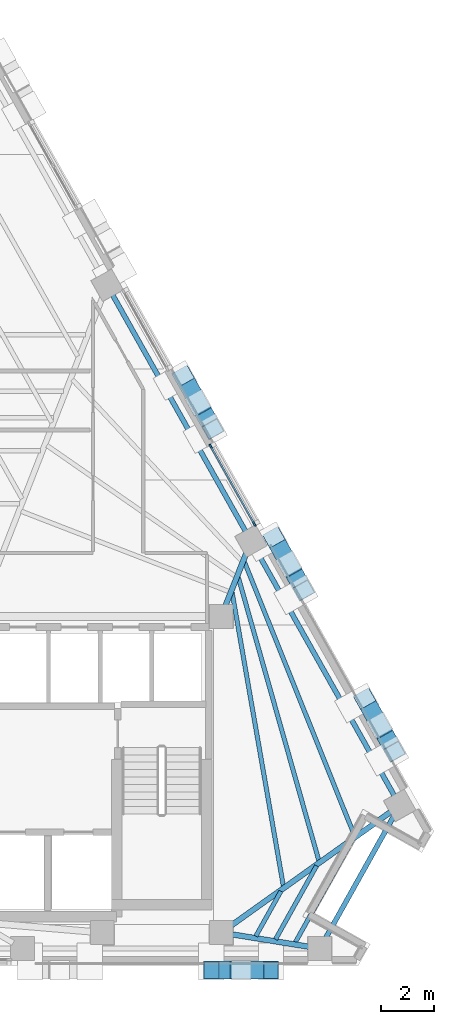
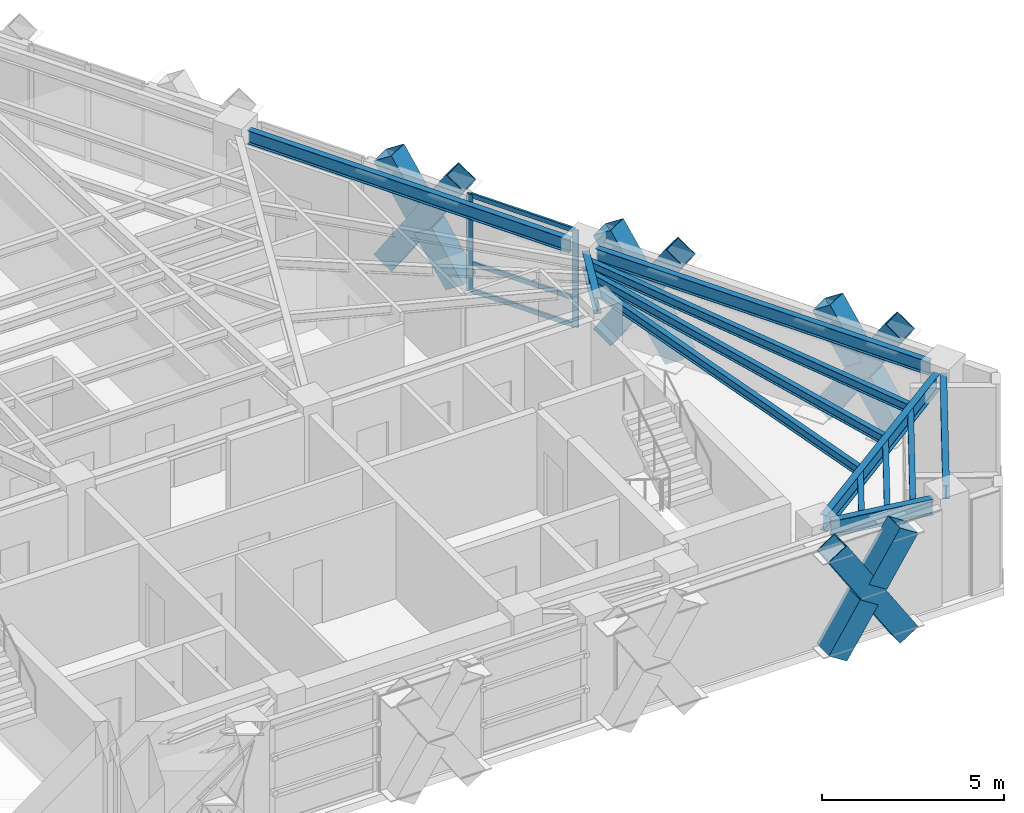
# One storey, part 5 of 12: 17 members, 12 beams, 1 element without a shape of its own.
"""IFC4 building model written with IfcOpenShell, lengths in metres."""

from ifc_helpers import new_model, si_unit, direction, frame, origin, origin_2d, place, context, subcontext, project, spatial, rectangle, hollow_rectangle, i_section, extrude, material, material_profile, profile_set, type_object, element, aggregate, save


model = new_model("IFC4")

# Units and contexts
model_context = context("Model", 3, precision=1e-05, world=origin(), true_north=direction((0.0, 1.0)))
body_context = subcontext(model_context, "Body", "Model", "MODEL_VIEW")
ifc_project = project(units=[si_unit("LENGTHUNIT", "METRE"), si_unit("AREAUNIT", "SQUARE_METRE"), si_unit("VOLUMEUNIT", "CUBIC_METRE"), si_unit("PLANEANGLEUNIT", "RADIAN"), si_unit("MASSUNIT", "GRAM", prefix="KILO")], contexts=[model_context])

# Site, building, storey
site_placement = place(None, origin())
site = spatial("IfcSite", under=ifc_project, at=site_placement, CompositionType="ELEMENT")
building_placement = place(site_placement, origin())
building = spatial("IfcBuilding", under=site, at=building_placement, Name="Quenlor Broadcast Tower", CompositionType="ELEMENT")
storey_placement = place(building_placement, frame((0.0, 0.0, 193.89990234375)))
storey = spatial("IfcBuildingStorey", under=building, at=storey_placement, Name="L53", CompositionType="ELEMENT", Elevation=193.89990234375)

# Curtain wall, members
ifc_material_1 = material(Name="Architectural Terracotta and Low-E Glazing", Category="masonry")
curtain_wall_type = type_object("IfcCurtainWallType", Name="Unitised Terracotta Curtain Wall System Z4", PredefinedType="NOTDEFINED", material=ifc_material_1)
curtain_wall_placement = place(storey_placement, origin())
curtain_wall = element("IfcCurtainWall", 1, at=curtain_wall_placement, inside=storey, type_object=curtain_wall_type, Name="L53 Curtain Wall CW4 (L53-NE-G2)", PredefinedType="NOTDEFINED")
ifc_material_2 = material(Name="Aluminium 6063-T6", Category="aluminium")
ifc_material_profile_1 = material_profile(ifc_material_2, rectangle(XDim=0.068115234375, YDim=0.179931640625, at=origin_2d()))
ifc_profile_set_1 = profile_set([ifc_material_profile_1], Name="Aluminium 6063-T6 MULL68x180")
member_type_1 = type_object("IfcMemberType", Name="CW4 Aluminium Mullion MULL_CW4", PredefinedType="MULLION", material=ifc_profile_set_1)
member_1_placement = place(storey_placement, frame((12.55126953125, 1.627685546875, 0.0), z_axis=(0.0, 0.0, 1.0), x_axis=(0.871577871382, 0.490257089819, 0.0)))
member_1 = element("IfcMember", 2, at=member_1_placement, type_object=member_type_1, Name="CW4 mullion 1", PredefinedType="MULLION", context=body_context, shape_type="SweptSolid", body=[
    extrude(rectangle(XDim=0.068115234375, YDim=0.179931640625, at=origin_2d()), origin(), (0.0, 0.0, 1.0), 3.25),
])
member_2_placement = place(storey_placement, frame((14.20068359375, -1.3046875, 0.0), z_axis=(0.0, 0.0, 1.0), x_axis=(0.871577871382, 0.490257089819, 0.0)))
member_2 = element("IfcMember", 3, at=member_2_placement, type_object=member_type_1, Name="CW4 mullion 2", PredefinedType="MULLION", context=body_context, shape_type="SweptSolid", body=[
    extrude(rectangle(XDim=0.068115234375, YDim=0.179931640625, at=origin_2d()), origin(), (0.0, 0.0, 1.0), 3.25),
])
ifc_material_3 = material(Name="Aluminium 6063-T6", Category="aluminium")
ifc_material_profile_2 = material_profile(ifc_material_3, rectangle(XDim=0.068115234375, YDim=0.14990234375, at=origin_2d()))
ifc_profile_set_2 = profile_set([ifc_material_profile_2], Name="Aluminium 6063-T6 TRAN68x150")
member_type_2 = type_object("IfcMemberType", Name="CW4 Aluminium Transom TRAN_CW4", PredefinedType="USERDEFINED", material=ifc_profile_set_2)
member_3_placement = place(storey_placement, frame((12.568115234375, 1.597900390625, 0.0341796875), z_axis=(0.490233108043, -0.871591360546, 0.0), x_axis=(0.871591360546, 0.490233108043, 0.0)))
member_3 = element("IfcMember", 4, at=member_3_placement, type_object=member_type_2, Name="CW4 transom 1.1", ObjectType="TRANSOM", PredefinedType="USERDEFINED", context=body_context, shape_type="SweptSolid", body=[
    extrude(rectangle(XDim=0.068115234375, YDim=0.14990234375, at=origin_2d()), origin(), (0.0, 0.0, 1.0), 3.29638671875),
])
member_4_placement = place(storey_placement, frame((12.568115234375, 1.597900390625, 0.9501953125), z_axis=(0.490233108043, -0.871591360546, 0.0), x_axis=(0.871591360546, 0.490233108043, 0.0)))
member_4 = element("IfcMember", 5, at=member_4_placement, type_object=member_type_2, Name="CW4 transom 1.2", ObjectType="TRANSOM", PredefinedType="USERDEFINED", context=body_context, shape_type="SweptSolid", body=[
    extrude(rectangle(XDim=0.068115234375, YDim=0.14990234375, at=origin_2d()), origin(), (0.0, 0.0, 1.0), 3.29638671875),
])
member_5_placement = place(storey_placement, frame((12.568115234375, 1.597900390625, 3.216064453125), z_axis=(0.490233108043, -0.871591360546, 0.0), x_axis=(0.871591360546, 0.490233108043, 0.0)))
member_5 = element("IfcMember", 6, at=member_5_placement, type_object=member_type_2, Name="CW4 transom 1.3", ObjectType="TRANSOM", PredefinedType="USERDEFINED", context=body_context, shape_type="SweptSolid", body=[
    extrude(rectangle(XDim=0.068115234375, YDim=0.14990234375, at=origin_2d()), origin(), (0.0, 0.0, 1.0), 3.29638671875),
])
aggregate(curtain_wall, [member_1, member_2, member_3, member_4, member_5])

# Members
ifc_material_4 = material(Name="Steel S355", Category="steel")
ifc_material_profile_3 = material_profile(ifc_material_4, hollow_rectangle(XDim=0.679931640625, YDim=0.679931640625, WallThickness=0.02490234375, at=origin_2d()))
ifc_profile_set_3 = profile_set([ifc_material_profile_3], Name="Steel S355 RHS680x680x25")
member_type_3 = type_object("IfcMemberType", Name="Perimeter Diagonal Lattice Brace Z3-Z4 Steel S355 RHS680x25", PredefinedType="BRACE", material=ifc_profile_set_3)
member_6_placement = place(storey_placement, frame((14.828857421875, -18.169921875, -0.119873046875), z_axis=(-0.541794306908, 0.0, 0.840511111766), x_axis=(0.0, -1.0, 0.0)))
element("IfcMember", 7, at=member_6_placement, inside=storey, type_object=member_type_3, Name="L53 Perimeter Diamond Lattice S-C1XA", PredefinedType="BRACE", context=body_context, shape_type="SweptSolid", body=[
    extrude(hollow_rectangle(XDim=0.679931640625, YDim=0.679931640625, WallThickness=0.02490234375, at=origin_2d()), origin(), (0.0, 0.0, 1.0), 4.1640625),
])
member_7_placement = place(storey_placement, frame((12.57275390625, -18.169921875, -0.119873046875), z_axis=(0.54184151587, 0.0, 0.840480678945), x_axis=(0.0, 1.0, 0.0)))
element("IfcMember", 8, at=member_7_placement, inside=storey, type_object=member_type_3, Name="L53 Perimeter Diamond Lattice S-C1XB1", PredefinedType="BRACE", context=body_context, shape_type="SweptSolid", body=[
    extrude(hollow_rectangle(XDim=0.679931640625, YDim=0.679931640625, WallThickness=0.02490234375, at=origin_2d()), origin(), (0.0, 0.0, 1.0), 1.83203125),
])
member_8_placement = place(storey_placement, frame((13.836181640625, -18.169921875, 1.840087890625), z_axis=(0.541780832962, 0.0, 0.840519796932), x_axis=(0.0, 1.0, 0.0)))
element("IfcMember", 9, at=member_8_placement, inside=storey, type_object=member_type_3, Name="L53 Perimeter Diamond Lattice S-C1XB2", PredefinedType="BRACE", context=body_context, shape_type="SweptSolid", body=[
    extrude(hollow_rectangle(XDim=0.679931640625, YDim=0.679931640625, WallThickness=0.02490234375, at=origin_2d()), origin(), (0.0, 0.0, 1.0), 1.832275390625),
])
member_9_placement = place(storey_placement, frame((11.508544921875, 4.287109375, -0.119873046875), z_axis=(0.269493020061, -0.479144022478, 0.835340959047), x_axis=(0.871595351467, 0.490226012469, 0.0)))
element("IfcMember", 10, at=member_9_placement, inside=storey, type_object=member_type_3, Name="L53 Perimeter Diamond Lattice NE-C3XA", PredefinedType="BRACE", context=body_context, shape_type="SweptSolid", body=[
    extrude(hollow_rectangle(XDim=0.679931640625, YDim=0.679931640625, WallThickness=0.02490234375, at=origin_2d()), origin(), (0.0, 0.0, 1.0), 4.18994140625),
])
for number, where, z_axis, x_axis, name in (
    (11, (12.6376953125, 2.279541015625, -0.119873046875), (-0.269535527865, 0.479130165145, 0.835335192642), (-0.871556252289, -0.490295522207, 0.0), "L53 Perimeter Diamond Lattice NE-C3XB1"),
    (12, (12.005859375, 3.403076171875, 1.8388671875), (-0.269535527865, 0.479130165145, 0.835335192642), (-0.871556252289, -0.490295522207, 0.0), "L53 Perimeter Diamond Lattice NE-C3XB2"),
):
    element("IfcMember", number, at=place(storey_placement, frame(where, z_axis=z_axis, x_axis=x_axis)), inside=storey, type_object=member_type_3, Name=name, PredefinedType="BRACE", context=body_context, shape_type="SweptSolid", body=[
        extrude(hollow_rectangle(XDim=0.679931640625, YDim=0.679931640625, WallThickness=0.02490234375, at=origin_2d()), origin(), (0.0, 0.0, 1.0), 1.844970703125),
    ])
member_10_placement = place(storey_placement, frame((14.9375, -1.80908203125, -0.119873046875), z_axis=(0.269547055694, -0.479136497832, 0.835327840559), x_axis=(0.871550060774, 0.49030652817, 0.0)))
element("IfcMember", 13, at=member_10_placement, inside=storey, type_object=member_type_3, Name="L53 Perimeter Diamond Lattice NE-C4XA", PredefinedType="BRACE", context=body_context, shape_type="SweptSolid", body=[
    extrude(hollow_rectangle(XDim=0.679931640625, YDim=0.679931640625, WallThickness=0.02490234375, at=origin_2d()), origin(), (0.0, 0.0, 1.0), 4.18994140625),
])
for number, where, z_axis, x_axis, name in (
    (14, (16.06689453125, -3.816650390625, -0.119873046875), (-0.269535527865, 0.479130165145, 0.835335192642), (-0.871556252289, -0.490295522207, 0.0), "L53 Perimeter Diamond Lattice NE-C4XB1"),
    (15, (15.434814453125, -2.693115234375, 1.8388671875), (-0.269535527865, 0.479130165145, 0.835335192642), (-0.871556252289, -0.490295522207, 0.0), "L53 Perimeter Diamond Lattice NE-C4XB2"),
):
    element("IfcMember", number, at=place(storey_placement, frame(where, z_axis=z_axis, x_axis=x_axis)), inside=storey, type_object=member_type_3, Name=name, PredefinedType="BRACE", context=body_context, shape_type="SweptSolid", body=[
        extrude(hollow_rectangle(XDim=0.679931640625, YDim=0.679931640625, WallThickness=0.02490234375, at=origin_2d()), origin(), (0.0, 0.0, 1.0), 1.844970703125),
    ])
member_11_placement = place(storey_placement, frame((18.36669921875, -7.9052734375, -0.119873046875), z_axis=(0.269547055694, -0.479136497832, 0.835327840559), x_axis=(0.871550060774, 0.49030652817, 0.0)))
element("IfcMember", 16, at=member_11_placement, inside=storey, type_object=member_type_3, Name="L53 Perimeter Diamond Lattice NE-C5XA", PredefinedType="BRACE", context=body_context, shape_type="SweptSolid", body=[
    extrude(hollow_rectangle(XDim=0.679931640625, YDim=0.679931640625, WallThickness=0.02490234375, at=origin_2d()), origin(), (0.0, 0.0, 1.0), 4.18994140625),
])
for number, where, z_axis, x_axis, name in (
    (17, (19.49609375, -9.912841796875, -0.119873046875), (-0.269535527865, 0.479130165145, 0.835335192642), (-0.871556252289, -0.490295522207, 0.0), "L53 Perimeter Diamond Lattice NE-C5XB1"),
    (18, (18.864013671875, -8.789306640625, 1.8388671875), (-0.269535527865, 0.479130165145, 0.835335192642), (-0.871556252289, -0.490295522207, 0.0), "L53 Perimeter Diamond Lattice NE-C5XB2"),
):
    element("IfcMember", number, at=place(storey_placement, frame(where, z_axis=z_axis, x_axis=x_axis)), inside=storey, type_object=member_type_3, Name=name, PredefinedType="BRACE", context=body_context, shape_type="SweptSolid", body=[
        extrude(hollow_rectangle(XDim=0.679931640625, YDim=0.679931640625, WallThickness=0.02490234375, at=origin_2d()), origin(), (0.0, 0.0, 1.0), 1.844970703125),
    ])

# Beams
ifc_material_5 = material(Name="Steel S355", Category="steel")
ifc_material_profile_4 = material_profile(ifc_material_5, i_section(OverallWidth=0.18994140625, OverallDepth=0.453857421875, WebThickness=0.008544921875, FlangeThickness=0.0126953125, FilletRadius=0.011474609375, at=origin_2d()))
ifc_profile_set_4 = profile_set([ifc_material_profile_4], Name="Steel S355 460UB67.1")
beam_type_1 = type_object("IfcBeamType", Name="Perimeter Spandrel Beam Z4 Steel S355 460UB67.1", PredefinedType="SPANDREL", material=ifc_profile_set_4)
beam_1_placement = place(storey_placement, frame((16.875732421875, -16.991943359375, 3.023193359375), z_axis=(0.487647250206, 0.8730407547, 0.0), x_axis=(-0.8730407547, 0.487647250206, 0.0)))
element("IfcBeam", 19, at=beam_1_placement, inside=storey, type_object=beam_type_1, Name="L53 Spandrel Beam S4-NE1", PredefinedType="SPANDREL", context=body_context, shape_type="SweptSolid", body=[
    extrude(i_section(OverallWidth=0.18994140625, OverallDepth=0.453857421875, WebThickness=0.008544921875, FlangeThickness=0.0126953125, FilletRadius=0.011474609375, at=origin_2d()), origin(), (0.0, 0.0, 1.0), 5.37451171875),
])
beam_2_placement = place(storey_placement, frame((19.49560546875, -11.58447265625, 3.023193359375), z_axis=(-0.490272131974, 0.871569410093, 0.0), x_axis=(-0.871569410093, -0.490272131974, 0.0)))
element("IfcBeam", 20, at=beam_2_placement, inside=storey, type_object=beam_type_1, Name="L53 Spandrel Beam NE1-NE2", PredefinedType="SPANDREL", context=body_context, shape_type="SweptSolid", body=[
    extrude(i_section(OverallWidth=0.18994140625, OverallDepth=0.453857421875, WebThickness=0.008544921875, FlangeThickness=0.0126953125, FilletRadius=0.011474609375, at=origin_2d()), origin(), (0.0, 0.0, 1.0), 10.6416015625),
])
beam_3_placement = place(storey_placement, frame((13.87646484375, -1.594970703125, 3.023193359375), z_axis=(-0.490263496537, 0.871574267612, 0.0), x_axis=(-0.871574267612, -0.490263496537, 0.0)))
element("IfcBeam", 21, at=beam_3_placement, inside=storey, type_object=beam_type_1, Name="L53 Spandrel Beam NE2-NE3", PredefinedType="SPANDREL", context=body_context, shape_type="SweptSolid", body=[
    extrude(i_section(OverallWidth=0.18994140625, OverallDepth=0.453857421875, WebThickness=0.008544921875, FlangeThickness=0.0126953125, FilletRadius=0.011474609375, at=origin_2d()), origin(), (0.0, 0.0, 1.0), 10.271728515625),
])
ifc_material_6 = material(Name="Steel S355", Category="steel")
ifc_material_profile_5 = material_profile(ifc_material_6, i_section(OverallWidth=0.166015625, OverallDepth=0.30712890625, WebThickness=0.006591796875, FlangeThickness=0.01171875, FilletRadius=0.011474609375, at=origin_2d()))
ifc_profile_set_5 = profile_set([ifc_material_profile_5], Name="Steel S355 310UB46.2")
beam_type_2 = type_object("IfcBeamType", Name="Tower Composite Joist Z4-Z5 Steel S355 310UB46.2", PredefinedType="JOIST", material=ifc_profile_set_5)
beam_4_placement = place(storey_placement, frame((15.297607421875, -14.98828125, 3.096435546875), z_axis=(-0.172003691938, 0.985096304916, 0.0), x_axis=(-0.985096304916, -0.172003691938, 0.0)))
element("IfcBeam", 22, at=beam_4_placement, inside=storey, type_object=beam_type_2, Name="L53 Secondary Composite Joist 16", PredefinedType="JOIST", context=body_context, shape_type="SweptSolid", body=[
    extrude(i_section(OverallWidth=0.166015625, OverallDepth=0.30712890625, WebThickness=0.006591796875, FlangeThickness=0.01171875, FilletRadius=0.011474609375, at=origin_2d()), origin(), (0.0, 0.0, 1.0), 11.274169921875),
])
beam_5_placement = place(storey_placement, frame((16.638671875, -14.028564453125, 3.096435546875), z_axis=(-0.273447576454, 0.961886907558, 0.0), x_axis=(-0.961886907558, -0.273447576454, 0.0)))
element("IfcBeam", 23, at=beam_5_placement, inside=storey, type_object=beam_type_2, Name="L53 Secondary Composite Joist 17", PredefinedType="JOIST", context=body_context, shape_type="SweptSolid", body=[
    extrude(i_section(OverallWidth=0.166015625, OverallDepth=0.30712890625, WebThickness=0.006591796875, FlangeThickness=0.01171875, FilletRadius=0.011474609375, at=origin_2d()), origin(), (0.0, 0.0, 1.0), 11.142333984375),
])
beam_6_placement = place(storey_placement, frame((17.97998046875, -13.069580078125, 3.096435546875), z_axis=(-0.373094895103, 0.927793187757, 0.0), x_axis=(-0.927793187757, -0.373094895103, 0.0)))
element("IfcBeam", 24, at=beam_6_placement, inside=storey, type_object=beam_type_2, Name="L53 Secondary Composite Joist 18", PredefinedType="JOIST", context=body_context, shape_type="SweptSolid", body=[
    extrude(i_section(OverallWidth=0.166015625, OverallDepth=0.30712890625, WebThickness=0.006591796875, FlangeThickness=0.01171875, FilletRadius=0.011474609375, at=origin_2d()), origin(), (0.0, 0.0, 1.0), 11.13525390625),
])
beam_7_placement = place(storey_placement, frame((14.255859375, -16.88427734375, 3.096435546875), z_axis=(0.487590799665, 0.873072283423, 0.0), x_axis=(-0.873072283423, 0.487590799665, 0.0)))
element("IfcBeam", 25, at=beam_7_placement, inside=storey, type_object=beam_type_2, Name="L53 Secondary Composite Joist 22", PredefinedType="JOIST", context=body_context, shape_type="SweptSolid", body=[
    extrude(i_section(OverallWidth=0.166015625, OverallDepth=0.30712890625, WebThickness=0.006591796875, FlangeThickness=0.01171875, FilletRadius=0.011474609375, at=origin_2d()), origin(), (0.0, 0.0, 1.0), 1.9462890625),
])
beam_8_placement = place(storey_placement, frame((15.0009765625, -17.004150390625, 3.096435546875), z_axis=(0.487646119388, 0.87304138633, 0.0), x_axis=(-0.87304138633, 0.487646119388, 0.0)))
element("IfcBeam", 26, at=beam_8_placement, inside=storey, type_object=beam_type_2, Name="L53 Secondary Composite Joist 23", PredefinedType="JOIST", context=body_context, shape_type="SweptSolid", body=[
    extrude(i_section(OverallWidth=0.166015625, OverallDepth=0.30712890625, WebThickness=0.006591796875, FlangeThickness=0.01171875, FilletRadius=0.011474609375, at=origin_2d()), origin(), (0.0, 0.0, 1.0), 3.18505859375),
])
beam_9_placement = place(storey_placement, frame((15.74609375, -17.124267578125, 3.096435546875), z_axis=(0.487604899573, 0.873064408799, 0.0), x_axis=(-0.873064408799, 0.487604899573, 0.0)))
element("IfcBeam", 27, at=beam_9_placement, inside=storey, type_object=beam_type_2, Name="L53 Secondary Composite Joist 24", PredefinedType="JOIST", context=body_context, shape_type="SweptSolid", body=[
    extrude(i_section(OverallWidth=0.166015625, OverallDepth=0.30712890625, WebThickness=0.006591796875, FlangeThickness=0.01171875, FilletRadius=0.011474609375, at=origin_2d()), origin(), (0.0, 0.0, 1.0), 4.424072265625),
])
ifc_material_7 = material(Name="Steel S355", Category="steel")
ifc_material_profile_6 = material_profile(ifc_material_7, i_section(OverallWidth=0.208984375, OverallDepth=0.5283203125, WebThickness=0.009521484375, FlangeThickness=0.01318359375, FilletRadius=0.013916015625, at=origin_2d()))
ifc_profile_set_6 = profile_set([ifc_material_profile_6], Name="Steel S355 530UB82.0")
beam_type_3 = type_object("IfcBeamType", Name="Tower Primary Floor Beam Z4 Steel S355 530UB82.0", PredefinedType="BEAM", material=ifc_profile_set_6)
beam_10_placement = place(storey_placement, frame((16.27099609375, -17.284912109375, 2.986083984375), z_axis=(-0.987268490875, 0.159062650942, 0.0), x_axis=(-0.159062650942, -0.987268490875, 0.0)))
element("IfcBeam", 28, at=beam_10_placement, inside=storey, type_object=beam_type_3, Name="L53 Primary Radial Beam S4", PredefinedType="BEAM", context=body_context, shape_type="SweptSolid", body=[
    extrude(i_section(OverallWidth=0.208984375, OverallDepth=0.5283203125, WebThickness=0.009521484375, FlangeThickness=0.01318359375, FilletRadius=0.013916015625, at=origin_2d()), origin(), (0.0, 0.0, 1.0), 2.98388671875),
])
beam_11_placement = place(storey_placement, frame((19.362548828125, -12.1796875, 2.986083984375), z_axis=(-0.814329531787, -0.580402802938, 0.0), x_axis=(0.580402802938, -0.814329531787, 0.0)))
element("IfcBeam", 29, at=beam_11_placement, inside=storey, type_object=beam_type_3, Name="L53 Primary Radial Beam NE1", PredefinedType="BEAM", context=body_context, shape_type="SweptSolid", body=[
    extrude(i_section(OverallWidth=0.208984375, OverallDepth=0.5283203125, WebThickness=0.009521484375, FlangeThickness=0.01318359375, FilletRadius=0.013916015625, at=origin_2d()), origin(), (0.0, 0.0, 1.0), 7.49462890625),
])
beam_12_placement = place(storey_placement, frame((13.926513671875, -2.33349609375, 2.986083984375), z_axis=(-0.368110359783, -0.92978210513, 0.0), x_axis=(0.92978210513, -0.368110359783, 0.0)))
element("IfcBeam", 30, at=beam_12_placement, inside=storey, type_object=beam_type_3, Name="L53 Primary Radial Beam NE2", PredefinedType="BEAM", context=body_context, shape_type="SweptSolid", body=[
    extrude(i_section(OverallWidth=0.208984375, OverallDepth=0.5283203125, WebThickness=0.009521484375, FlangeThickness=0.01318359375, FilletRadius=0.013916015625, at=origin_2d()), origin(), (0.0, 0.0, 1.0), 2.27294921875),
])

save(model, "model.ifc")
